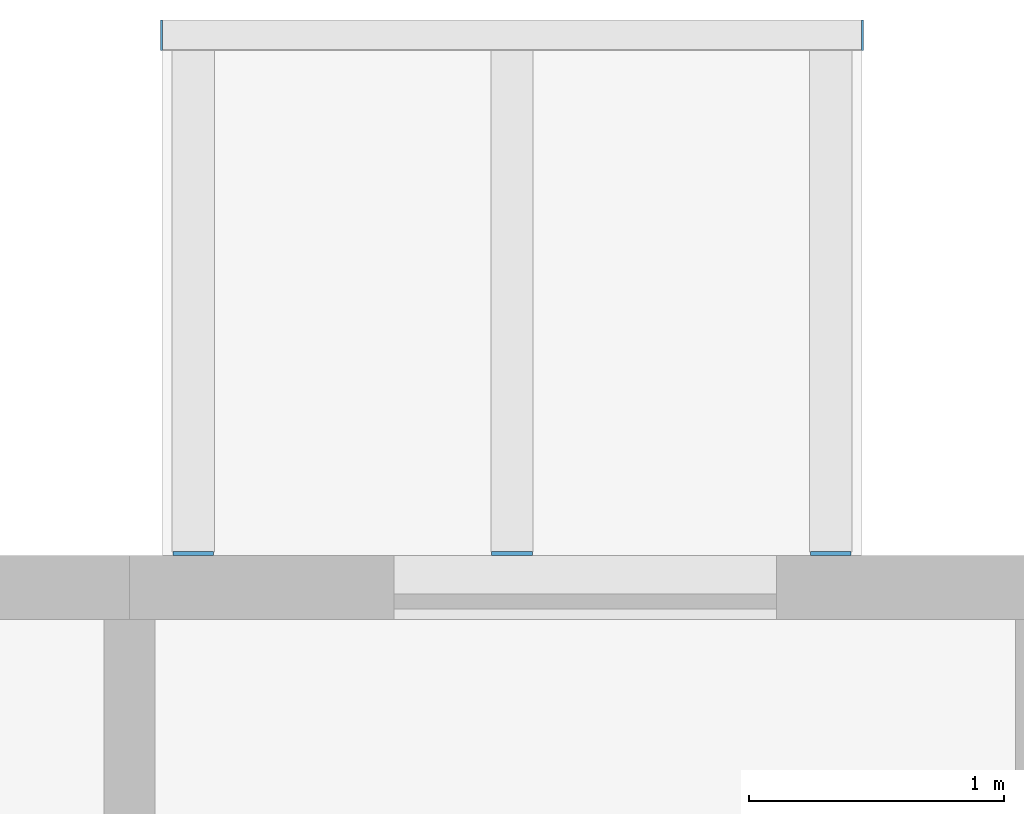
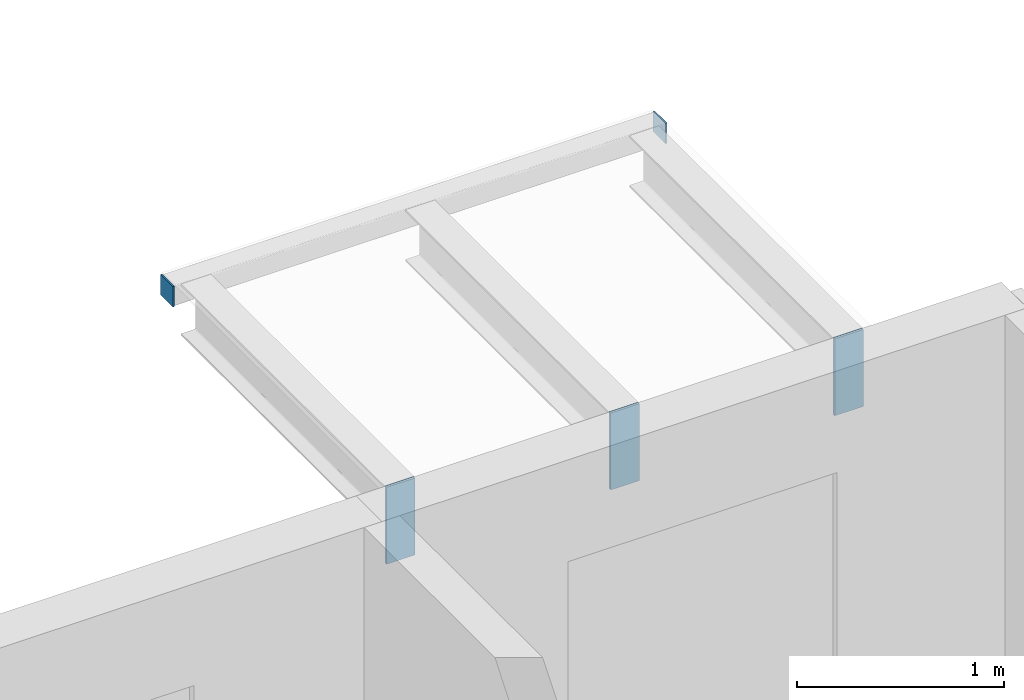
# One storey, part 68 of 87: 5 discrete accessories.
"""IFC4 building model written with IfcOpenShell, lengths in metres."""

from ifc_helpers import new_model, si_unit, direction, frame, origin, origin_2d, place, context, subcontext, project, spatial, rectangle, extrude, material, layer, layer_set, type_object, element, save


model = new_model("IFC4")

# Units and contexts
model_context = context("Model", 3, precision=1e-05, world=origin(), true_north=direction((0.0, 1.0)))
body_context = subcontext(model_context, "Body", "Model", "MODEL_VIEW")
ifc_project = project(units=[si_unit("LENGTHUNIT", "METRE"), si_unit("AREAUNIT", "SQUARE_METRE"), si_unit("VOLUMEUNIT", "CUBIC_METRE"), si_unit("PLANEANGLEUNIT", "RADIAN"), si_unit("MASSUNIT", "GRAM", prefix="KILO")], contexts=[model_context])

# Site, building, storey
site_placement = place(None, origin())
site = spatial("IfcSite", under=ifc_project, at=site_placement, CompositionType="ELEMENT")
building_placement = place(site_placement, origin())
building = spatial("IfcBuilding", under=site, at=building_placement, Name="Ridgestep Commons", CompositionType="ELEMENT")
storey_placement = place(building_placement, frame((0.0, 0.0, 27.0)))
storey = spatial("IfcBuildingStorey", under=building, at=storey_placement, Name="L09", CompositionType="ELEMENT", Elevation=27.0)

# Discrete accessories
ifc_material_1 = material(Name="Weathering steel S355J2W", Category="steel")
ifc_layer_1 = layer(ifc_material_1, 0.014892578125)
ifc_layer_set_1 = layer_set([ifc_layer_1], Name="Tray bracket plate 15")
discrete_accessory_type_1 = type_object("IfcDiscreteAccessoryType", Name="Tray bracket plate 15", PredefinedType="BRACKET", material=ifc_layer_set_1)
for number, where, z_axis, x_axis, name in (
    (1, (221.449951171875, 77.257568359375, 2.53662109375), (0.0, 0.0, 1.0), (1.0, 0.0, 0.0), "Tray bracket C5T3-10.1"),
    (2, (222.699951171875, 77.257568359375, 2.53662109375), (0.0, 0.0, 1.0), (1.0, 0.0, 0.0), "Tray bracket C5T3-10.2"),
    (3, (223.949951171875, 77.257568359375, 2.53662109375), (0.0, 0.0, 1.0), (1.0, 0.0, 0.0), "Tray bracket C5T3-10.3"),
):
    element("IfcDiscreteAccessory", number, at=place(storey_placement, frame(where, z_axis=z_axis, x_axis=x_axis)), inside=storey, type_object=discrete_accessory_type_1, Name=name, PredefinedType="BRACKET", context=body_context, shape_type="SweptSolid", body=[
        extrude(rectangle(XDim=0.159912109375, YDim=0.014892578125, at=origin_2d()), origin(), (0.0, 0.0, 1.0), 0.453369140625),
    ])
ifc_material_2 = material(Name="Weathering steel S355J2W", Category="steel")
ifc_layer_2 = layer(ifc_material_2, 0.008056640625)
ifc_layer_set_2 = layer_set([ifc_layer_2], Name="Tray edge member end plate 120 x 120 x 8")
discrete_accessory_type_2 = type_object("IfcDiscreteAccessoryType", Name="Tray edge member end plate 120 x 120 x 8", PredefinedType="BRACKET", material=ifc_layer_set_2)
for number, where, z_axis, x_axis, name in (
    (4, (221.325927734375, 79.2900390625, 2.869873046875), (0.0, 0.0, 1.0), (1.0, 0.0, 0.0), "Tray edge member end plate C5T3-10 west"),
    (5, (224.073974609375, 79.2900390625, 2.869873046875), (0.0, 0.0, 1.0), (1.0, 0.0, 0.0), "Tray edge member end plate C5T3-10 east"),
):
    element("IfcDiscreteAccessory", number, at=place(storey_placement, frame(where, z_axis=z_axis, x_axis=x_axis)), inside=storey, type_object=discrete_accessory_type_2, Name=name, PredefinedType="BRACKET", context=body_context, shape_type="SweptSolid", body=[
        extrude(rectangle(XDim=0.008056640625, YDim=0.1201171875, at=origin_2d()), origin(), (0.0, 0.0, 1.0), 0.1201171875),
    ])

save(model, "model.ifc")
